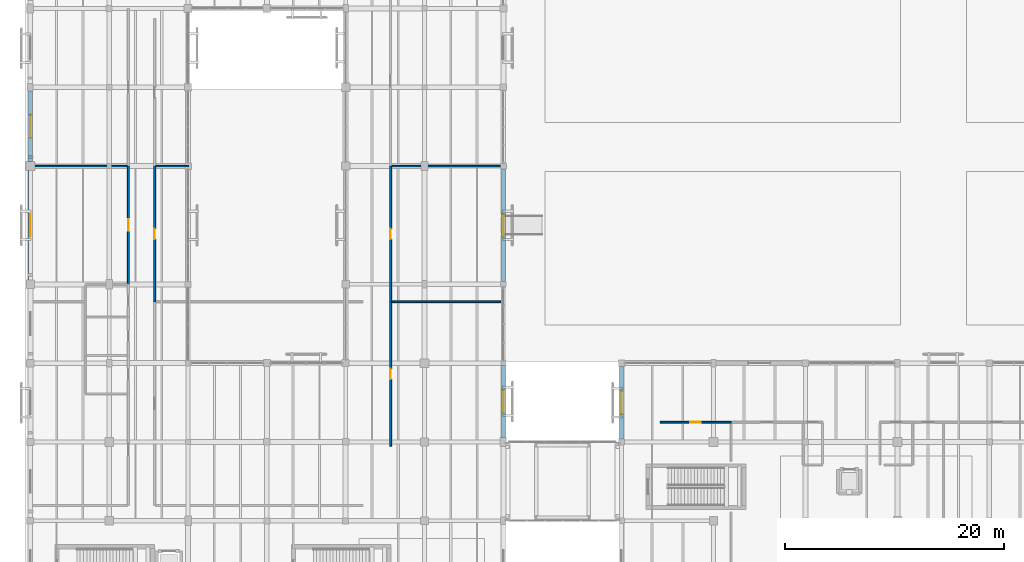
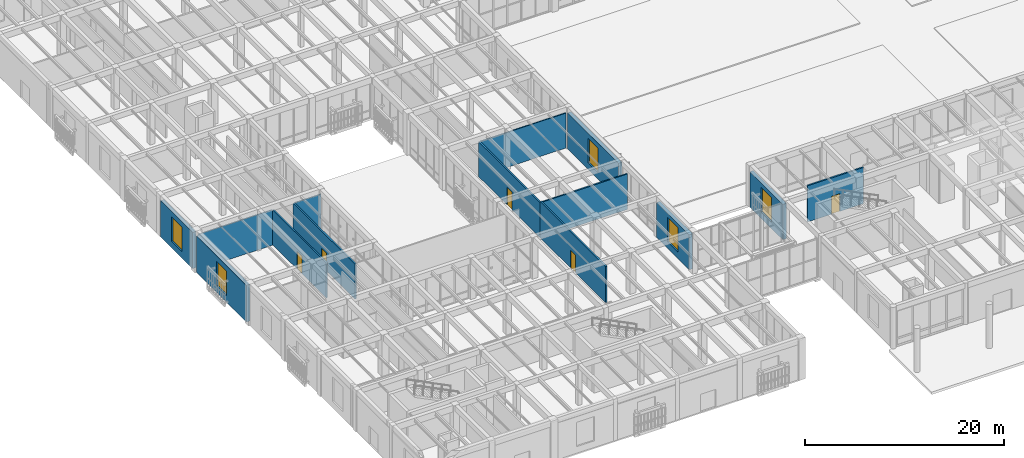
# One storey, part 122 of 169: 14 walls, 5 doors, 5 windows, 10 openings.
"""IFC4 building model written with IfcOpenShell, lengths in metres."""

from ifc_helpers import new_model, si_unit, direction, frame, frame_2d, origin, place, context, subcontext, project, spatial, rectangle, extrude, material, layer, layer_set, type_object, element, fill, save


model = new_model("IFC4")

# Units and contexts
model_context = context("Model", 3, precision=1e-05, world=origin(), true_north=direction((0.0, 1.0)))
body_context = subcontext(model_context, "Body", "Model", "MODEL_VIEW")
ifc_project = project(units=[si_unit("LENGTHUNIT", "METRE"), si_unit("AREAUNIT", "SQUARE_METRE"), si_unit("VOLUMEUNIT", "CUBIC_METRE"), si_unit("PLANEANGLEUNIT", "RADIAN"), si_unit("MASSUNIT", "GRAM", prefix="KILO")], contexts=[model_context])

# Site, building, storey
site_placement = place(None, origin())
site = spatial("IfcSite", under=ifc_project, at=site_placement, CompositionType="ELEMENT")
building_placement = place(site_placement, origin())
building = spatial("IfcBuilding", under=site, at=building_placement, Name="Mazaris Harbour Polytechnic", CompositionType="ELEMENT")
storey_placement = place(building_placement, origin())
storey = spatial("IfcBuildingStorey", under=building, at=storey_placement, Name="L00", CompositionType="ELEMENT", Elevation=0.0)

# Walls
ifc_material_1 = material(Name="Gypsum Board and Mineral Wool")
ifc_layer_1 = layer(ifc_material_1, 0.1201171875, Name="Gypsum Board and Mineral Wool")
ifc_layer_set_1 = layer_set([ifc_layer_1], Name="Gypsum Board and Mineral Wool")
wall_type_1 = type_object("IfcWallType", Name="Acoustic Stud Partition 120", PredefinedType="PARTITIONING", material=ifc_layer_set_1)
wall_1_placement = place(storey_placement, frame((0.25, 54.0, 0.0), z_axis=(0.0, 0.0, 1.0), x_axis=(1.0, 0.0, 0.0)))
element("IfcWall", 1, at=wall_1_placement, inside=storey, type_object=wall_type_1, Name="V4 L00 Partition 294", PredefinedType="PARTITIONING", context=body_context, shape_type="SweptSolid", body=[
    extrude(rectangle(XDim=8.580078125, YDim=0.1201171875, at=frame_2d((4.2900390625, 0.0))), origin(), (0.0, 0.0, 1.0), 4.35009765625),
])
wall_2_placement = place(storey_placement, frame((11.469970703125, 54.0, 0.0), z_axis=(0.0, 0.0, 1.0), x_axis=(1.0, 0.0, 0.0)))
element("IfcWall", 2, at=wall_2_placement, inside=storey, type_object=wall_type_1, Name="V4 L00 Partition 305", PredefinedType="PARTITIONING", context=body_context, shape_type="SweptSolid", body=[
    extrude(rectangle(XDim=3.010009765625, YDim=0.1201171875, at=frame_2d((1.5048828125, 0.0))), origin(), (0.0, 0.0, 1.0), 4.300048828125),
])
wall_3_placement = place(storey_placement, frame((33.02001953125, 54.0, 0.0), z_axis=(0.0, 0.0, 1.0), x_axis=(1.0, 0.0, 0.0)))
element("IfcWall", 3, at=wall_3_placement, inside=storey, type_object=wall_type_1, Name="V4 L00 Partition 315", PredefinedType="PARTITIONING", context=body_context, shape_type="SweptSolid", body=[
    extrude(rectangle(XDim=9.929931640625, YDim=0.1201171875, at=frame_2d((4.96484375, 0.0))), origin(), (0.0, 0.0, 1.0), 4.300048828125),
])

# Wall, opening, door
ifc_material_2 = material(Name="Terracotta Block and Plaster", Category="masonry")
ifc_layer_2 = layer(ifc_material_2, 0.179931640625, Name="Terracotta Block and Plaster")
ifc_layer_set_2 = layer_set([ifc_layer_2], Name="Terracotta Block and Plaster")
wall_type_2 = type_object("IfcWallType", Name="Corridor Fire Partition 180", PredefinedType="PARTITIONING", material=ifc_layer_set_2)
wall_4_placement = place(storey_placement, frame((57.52001953125, 30.60009765625, 0.0), z_axis=(0.0, 0.0, 1.0), x_axis=(1.0, 0.0, 0.0)))
wall_4 = element("IfcWall", 4, at=wall_4_placement, inside=storey, type_object=wall_type_2, Name="V3 L00 Partition 196", PredefinedType="PARTITIONING", context=body_context, shape_type="SweptSolid", body=[
    extrude(rectangle(XDim=6.47998046875, YDim=0.179931640625, at=frame_2d((3.239990234375, 0.0))), origin(), (0.0, 0.0, 1.0), 4.449951171875),
])
opening_1_placement = place(wall_4_placement, frame((2.7451171875, 0.0, 0.0)))
opening_1 = element("IfcOpeningElement", 5, at=opening_1_placement, cuts=wall_4, Name="Opening ID-08R", PredefinedType="OPENING", context=body_context, shape_type="SweptSolid", body=[
    extrude(rectangle(XDim=0.989990234375, YDim=2.179931640625, at=frame_2d((0.4951171875, 1.08984375))), frame((0.0, 0.099853515625, 0.0), z_axis=(0.0, -1.0, 0.0), x_axis=(1.0, 0.0, 0.0)), (0.0, 0.0, 1.0), 0.199951171875),
])
ifc_material_3 = material(Name="Solid Oak Timber", Category="wood")
door_type_1 = type_object("IfcDoorType", Name="Seminar Room Door RH 990x2180", OperationType="SINGLE_SWING_RIGHT", PredefinedType="DOOR", material=ifc_material_3)
door_1_placement = place(opening_1_placement, origin())
door_1 = element("IfcDoor", 6, at=door_1_placement, inside=storey, type_object=door_type_1, Name="ID-0090", OperationType="SINGLE_SWING_RIGHT", OverallHeight=2.179931640625, OverallWidth=0.989990234375, PredefinedType="DOOR", context=body_context, shape_type="SweptSolid", body=[
    extrude(rectangle(XDim=0.989990234375, YDim=2.179931640625, at=frame_2d((0.4951171875, 1.08984375))), frame((0.0, 0.02490234375, 0.0), z_axis=(0.0, -1.0, 0.0), x_axis=(1.0, 0.0, 0.0)), (0.0, 0.0, 1.0), 0.050048828125),
])
fill(opening_1, door_1)

wall_5_placement = place(storey_placement, frame((11.35009765625, 41.60498046875, 0.0), z_axis=(0.0, 0.0, 1.0), x_axis=(0.0, 1.0, 0.0)))
wall_5 = element("IfcWall", 7, at=wall_5_placement, inside=storey, type_object=wall_type_2, Name="V4 L00 Partition 304", PredefinedType="PARTITIONING", context=body_context, shape_type="SweptSolid", body=[
    extrude(rectangle(XDim=12.39501953125, YDim=0.179931640625, at=frame_2d((6.197509765625, 0.0))), origin(), (0.0, 0.0, 1.0), 4.300048828125),
])
opening_2_placement = place(wall_5_placement, frame((5.702392578125, 0.0, 0.0)))
opening_2 = element("IfcOpeningElement", 8, at=opening_2_placement, cuts=wall_5, Name="Opening ID-08R", PredefinedType="OPENING", context=body_context, shape_type="SweptSolid", body=[
    extrude(rectangle(XDim=0.989990234375, YDim=2.179931640625, at=frame_2d((0.4951171875, 1.08984375))), frame((0.0, 0.099853515625, 0.0), z_axis=(0.0, -1.0, 0.0), x_axis=(1.0, 0.0, 0.0)), (0.0, 0.0, 1.0), 0.199951171875),
])
door_2_placement = place(opening_2_placement, origin())
door_2 = element("IfcDoor", 9, at=door_2_placement, inside=storey, type_object=door_type_1, Name="ID-0140", OperationType="SINGLE_SWING_RIGHT", OverallHeight=2.179931640625, OverallWidth=0.989990234375, PredefinedType="DOOR", context=body_context, shape_type="SweptSolid", body=[
    extrude(rectangle(XDim=0.989990234375, YDim=2.179931640625, at=frame_2d((0.4951171875, 1.08984375))), frame((0.0, 0.02490234375, 0.0), z_axis=(0.0, -1.0, 0.0), x_axis=(1.0, 0.0, 0.0)), (0.0, 0.0, 1.0), 0.050048828125),
])
fill(opening_2, door_2)

wall_6_placement = place(storey_placement, frame((32.89990234375, 28.419921875, 0.0), z_axis=(0.0, 0.0, 1.0), x_axis=(0.0, 1.0, 0.0)))
wall_6 = element("IfcWall", 10, at=wall_6_placement, inside=storey, type_object=wall_type_2, Name="V4 L00 Partition 312", PredefinedType="PARTITIONING", context=body_context, shape_type="SweptSolid", body=[
    extrude(rectangle(XDim=13.18017578125, YDim=0.179931640625, at=frame_2d((6.590087890625, 0.0))), origin(), (0.0, 0.0, 1.0), 4.449951171875),
])
opening_3_placement = place(wall_6_placement, frame((6.10009765625, 0.0, 0.0)))
opening_3 = element("IfcOpeningElement", 11, at=opening_3_placement, cuts=wall_6, Name="Opening ID-08L", PredefinedType="OPENING", context=body_context, shape_type="SweptSolid", body=[
    extrude(rectangle(XDim=0.97998046875, YDim=2.179931640625, at=frame_2d((0.489990234375, 1.08984375))), frame((0.0, 0.099853515625, 0.0), z_axis=(0.0, -1.0, 0.0), x_axis=(1.0, 0.0, 0.0)), (0.0, 0.0, 1.0), 0.199951171875),
])
ifc_material_4 = material(Name="Solid Oak Timber", Category="wood")
door_type_2 = type_object("IfcDoorType", Name="Seminar Room Door LH 980x2180", OperationType="SINGLE_SWING_LEFT", PredefinedType="DOOR", material=ifc_material_4)
door_3_placement = place(opening_3_placement, origin())
door_3 = element("IfcDoor", 12, at=door_3_placement, inside=storey, type_object=door_type_2, Name="ID-0145", OperationType="SINGLE_SWING_LEFT", OverallHeight=2.179931640625, OverallWidth=0.97998046875, PredefinedType="DOOR", context=body_context, shape_type="SweptSolid", body=[
    extrude(rectangle(XDim=0.97998046875, YDim=2.179931640625, at=frame_2d((0.489990234375, 1.08984375))), frame((0.0, 0.02490234375, 0.0), z_axis=(0.0, -1.0, 0.0), x_axis=(1.0, 0.0, 0.0)), (0.0, 0.0, 1.0), 0.050048828125),
])
fill(opening_3, door_3)

wall_7_placement = place(storey_placement, frame((32.89990234375, 41.60498046875, 0.0), z_axis=(0.0, 0.0, 1.0), x_axis=(0.0, 1.0, 0.0)))
wall_7 = element("IfcWall", 13, at=wall_7_placement, inside=storey, type_object=wall_type_2, Name="V4 L00 Partition 314", PredefinedType="PARTITIONING", context=body_context, shape_type="SweptSolid", body=[
    extrude(rectangle(XDim=12.39501953125, YDim=0.179931640625, at=frame_2d((6.197509765625, 0.0))), origin(), (0.0, 0.0, 1.0), 4.300048828125),
])
opening_4_placement = place(wall_7_placement, frame((5.702392578125, 0.0, 0.0)))
opening_4 = element("IfcOpeningElement", 14, at=opening_4_placement, cuts=wall_7, Name="Opening ID-08R", PredefinedType="OPENING", context=body_context, shape_type="SweptSolid", body=[
    extrude(rectangle(XDim=0.989990234375, YDim=2.179931640625, at=frame_2d((0.4951171875, 1.08984375))), frame((0.0, 0.099853515625, 0.0), z_axis=(0.0, -1.0, 0.0), x_axis=(1.0, 0.0, 0.0)), (0.0, 0.0, 1.0), 0.199951171875),
])
door_4_placement = place(opening_4_placement, origin())
door_4 = element("IfcDoor", 15, at=door_4_placement, inside=storey, type_object=door_type_1, Name="ID-0146", OperationType="SINGLE_SWING_RIGHT", OverallHeight=2.179931640625, OverallWidth=0.989990234375, PredefinedType="DOOR", context=body_context, shape_type="SweptSolid", body=[
    extrude(rectangle(XDim=0.989990234375, YDim=2.179931640625, at=frame_2d((0.4951171875, 1.08984375))), frame((0.0, 0.02490234375, 0.0), z_axis=(0.0, -1.0, 0.0), x_axis=(1.0, 0.0, 0.0)), (0.0, 0.0, 1.0), 0.050048828125),
])
fill(opening_4, door_4)

ifc_material_5 = material(Name="Fireboard and Mineral Wool")
ifc_layer_3 = layer(ifc_material_5, 0.1650390625, Name="Fireboard and Mineral Wool")
ifc_layer_set_3 = layer_set([ifc_layer_3], Name="Fireboard and Mineral Wool")
wall_type_3 = type_object("IfcWallType", Name="Laboratory Rated Partition 165", PredefinedType="PARTITIONING", material=ifc_layer_set_3)
wall_8_placement = place(storey_placement, frame((8.949951171875, 43.205078125, 0.0), z_axis=(0.0, 0.0, 1.0), x_axis=(0.0, 1.0, 0.0)))
wall_8 = element("IfcWall", 16, at=wall_8_placement, inside=storey, type_object=wall_type_3, Name="V4 L00 Partition 293", PredefinedType="PARTITIONING", context=body_context, shape_type="SweptSolid", body=[
    extrude(rectangle(XDim=10.794921875, YDim=0.1650390625, at=frame_2d((5.3974609375, 0.0))), origin(), (0.0, 0.0, 1.0), 4.300048828125),
])
opening_5_placement = place(wall_8_placement, frame((4.867431640625, 0.0, 0.0)))
opening_5 = element("IfcOpeningElement", 17, at=opening_5_placement, cuts=wall_8, Name="Opening ID-02R", PredefinedType="OPENING", context=body_context, shape_type="SweptSolid", body=[
    extrude(rectangle(XDim=1.06005859375, YDim=2.199951171875, at=frame_2d((0.530029296875, 1.10009765625))), frame((0.0, 0.092529296875, 0.0), z_axis=(0.0, -1.0, 0.0), x_axis=(1.0, 0.0, 0.0)), (0.0, 0.0, 1.0), 0.18505859375),
])
ifc_material_6 = material(Name="Solid Timber and Vision Panel", Category="wood")
door_type_3 = type_object("IfcDoorType", Name="Laboratory Fire Door RH 1060x2200", OperationType="SINGLE_SWING_RIGHT", PredefinedType="DOOR", material=ifc_material_6)
door_5_placement = place(opening_5_placement, origin())
door_5 = element("IfcDoor", 18, at=door_5_placement, inside=storey, type_object=door_type_3, Name="ID-0134", OperationType="SINGLE_SWING_RIGHT", OverallHeight=2.199951171875, OverallWidth=1.06005859375, PredefinedType="DOOR", context=body_context, shape_type="SweptSolid", body=[
    extrude(rectangle(XDim=1.06005859375, YDim=2.199951171875, at=frame_2d((0.530029296875, 1.10009765625))), frame((0.0, 0.02490234375, 0.0), z_axis=(0.0, -1.0, 0.0), x_axis=(1.0, 0.0, 0.0)), (0.0, 0.0, 1.0), 0.050048828125),
])
fill(opening_5, door_5)

# Wall
wall_9_placement = place(storey_placement, frame((33.02001953125, 41.60009765625, 0.0), z_axis=(0.0, 0.0, 1.0), x_axis=(1.0, 0.0, 0.0)))
element("IfcWall", 19, at=wall_9_placement, inside=storey, type_object=wall_type_3, Name="V4 L00 Partition 313", PredefinedType="PARTITIONING", context=body_context, shape_type="SweptSolid", body=[
    extrude(rectangle(XDim=9.929931640625, YDim=0.1650390625, at=frame_2d((4.96484375, 0.0))), origin(), (0.0, 0.0, 1.0), 4.35009765625),
])

# Wall, opening, window
ifc_material_7 = material(Name="Algerian Buff Limestone and Concrete C35/45", Category="masonry")
ifc_layer_4 = layer(ifc_material_7, 0.409912109375, Name="Algerian Buff Limestone and Concrete C35/45")
ifc_layer_set_4 = layer_set([ifc_layer_4], Name="Algerian Buff Limestone and Concrete C35/45")
wall_type_4 = type_object("IfcWallType", Name="Limestone Rusticated Base Wall 410", PredefinedType="STANDARD", material=ifc_layer_set_4)
wall_10_placement = place(storey_placement, frame((54.0, 29.06689453125, 0.0), z_axis=(0.0, 0.0, 1.0), x_axis=(0.0, 1.0, 0.0)))
wall_10 = element("IfcWall", 20, at=wall_10_placement, inside=storey, type_object=wall_type_4, Name="V3 L00 Exterior Wall 104", PredefinedType="STANDARD", context=body_context, shape_type="SweptSolid", body=[
    extrude(rectangle(XDim=6.64111328125, YDim=0.409912109375, at=frame_2d((3.320556640625, 0.0))), origin(), (0.0, 0.0, 1.0), 4.35009765625),
])
opening_6_placement = place(wall_10_placement, frame((2.2705078125, 0.0, 0.800048828125)))
opening_6 = element("IfcOpeningElement", 21, at=opening_6_placement, cuts=wall_10, Name="Opening WN-05", PredefinedType="OPENING", context=body_context, shape_type="SweptSolid", body=[
    extrude(rectangle(XDim=2.10009765625, YDim=3.0, at=frame_2d((1.050048828125, 1.5))), frame((0.0, 0.21484375, 0.0), z_axis=(0.0, -1.0, 0.0), x_axis=(1.0, 0.0, 0.0)), (0.0, 0.0, 1.0), 0.429931640625),
])
ifc_material_8 = material(Name="Thermally Broken Bronze Aluminium and Low-E Glass", Category="aluminium")
window_type = type_object("IfcWindowType", Name="Podium Arch-Head Window 2100x3000", PartitioningType="DOUBLE_PANEL_VERTICAL", PredefinedType="WINDOW", material=ifc_material_8)
window_1_placement = place(opening_6_placement, origin())
window_1 = element("IfcWindow", 22, at=window_1_placement, inside=storey, type_object=window_type, Name="WN-0112", OverallHeight=3.0, OverallWidth=2.10009765625, PartitioningType="DOUBLE_PANEL_VERTICAL", PredefinedType="WINDOW", context=body_context, shape_type="SweptSolid", body=[
    extrude(rectangle(XDim=2.10009765625, YDim=3.0, at=frame_2d((1.050048828125, 1.5))), frame((0.0, 0.030029296875, 0.0), z_axis=(0.0, -1.0, 0.0), x_axis=(1.0, 0.0, 0.0)), (0.0, 0.0, 1.0), 0.06005859375),
])
fill(opening_6, window_1)

wall_11_placement = place(storey_placement, frame((0.0, 43.56689453125, 0.0), z_axis=(0.0, 0.0, 1.0), x_axis=(0.0, 1.0, 0.0)))
wall_11 = element("IfcWall", 23, at=wall_11_placement, inside=storey, type_object=wall_type_4, Name="V4 L00 Exterior Wall 145", PredefinedType="STANDARD", context=body_context, shape_type="SweptSolid", body=[
    extrude(rectangle(XDim=10.041015625, YDim=0.409912109375, at=frame_2d((5.0205078125, 0.0))), origin(), (0.0, 0.0, 1.0), 4.5),
])
opening_7_placement = place(wall_11_placement, frame((3.970458984375, 0.0, 0.800048828125)))
opening_7 = element("IfcOpeningElement", 24, at=opening_7_placement, cuts=wall_11, Name="Opening WN-05", PredefinedType="OPENING", context=body_context, shape_type="SweptSolid", body=[
    extrude(rectangle(XDim=2.10009765625, YDim=3.0, at=frame_2d((1.050048828125, 1.5))), frame((0.0, 0.21484375, 0.0), z_axis=(0.0, -1.0, 0.0), x_axis=(1.0, 0.0, 0.0)), (0.0, 0.0, 1.0), 0.429931640625),
])
window_2_placement = place(opening_7_placement, origin())
window_2 = element("IfcWindow", 25, at=window_2_placement, inside=storey, type_object=window_type, Name="WN-0150", OverallHeight=3.0, OverallWidth=2.10009765625, PartitioningType="DOUBLE_PANEL_VERTICAL", PredefinedType="WINDOW", context=body_context, shape_type="SweptSolid", body=[
    extrude(rectangle(XDim=2.10009765625, YDim=3.0, at=frame_2d((1.050048828125, 1.5))), frame((0.0, 0.030029296875, 0.0), z_axis=(0.0, -1.0, 0.0), x_axis=(1.0, 0.0, 0.0)), (0.0, 0.0, 1.0), 0.06005859375),
])
fill(opening_7, window_2)

wall_12_placement = place(storey_placement, frame((0.0, 54.39208984375, 0.0), z_axis=(0.0, 0.0, 1.0), x_axis=(0.0, 1.0, 0.0)))
wall_12 = element("IfcWall", 26, at=wall_12_placement, inside=storey, type_object=wall_type_4, Name="V4 L00 Exterior Wall 146", PredefinedType="STANDARD", context=body_context, shape_type="SweptSolid", body=[
    extrude(rectangle(XDim=6.4658203125, YDim=0.409912109375, at=frame_2d((3.23291015625, 0.0))), origin(), (0.0, 0.0, 1.0), 4.449951171875),
])
opening_8_placement = place(wall_12_placement, frame((2.18310546875, 0.0, 0.800048828125)))
opening_8 = element("IfcOpeningElement", 27, at=opening_8_placement, cuts=wall_12, Name="Opening WN-05", PredefinedType="OPENING", context=body_context, shape_type="SweptSolid", body=[
    extrude(rectangle(XDim=2.10009765625, YDim=3.0, at=frame_2d((1.050048828125, 1.5))), frame((0.0, 0.21484375, 0.0), z_axis=(0.0, -1.0, 0.0), x_axis=(1.0, 0.0, 0.0)), (0.0, 0.0, 1.0), 0.429931640625),
])
window_3_placement = place(opening_8_placement, origin())
window_3 = element("IfcWindow", 28, at=window_3_placement, inside=storey, type_object=window_type, Name="WN-0151", OverallHeight=3.0, OverallWidth=2.10009765625, PartitioningType="DOUBLE_PANEL_VERTICAL", PredefinedType="WINDOW", context=body_context, shape_type="SweptSolid", body=[
    extrude(rectangle(XDim=2.10009765625, YDim=3.0, at=frame_2d((1.050048828125, 1.5))), frame((0.0, 0.030029296875, 0.0), z_axis=(0.0, -1.0, 0.0), x_axis=(1.0, 0.0, 0.0)), (0.0, 0.0, 1.0), 0.06005859375),
])
fill(opening_8, window_3)

wall_13_placement = place(storey_placement, frame((43.199951171875, 35.782958984375, 0.0), z_axis=(0.0, 0.0, 1.0), x_axis=(0.0, -1.0, 0.0)))
wall_13 = element("IfcWall", 29, at=wall_13_placement, inside=storey, type_object=wall_type_4, Name="V4 L00 Exterior Wall 153", PredefinedType="STANDARD", context=body_context, shape_type="SweptSolid", body=[
    extrude(rectangle(XDim=6.56591796875, YDim=0.409912109375, at=frame_2d((3.282958984375, 0.0))), origin(), (0.0, 0.0, 1.0), 4.300048828125),
])
opening_9_placement = place(wall_13_placement, frame((2.23291015625, 0.0, 0.800048828125)))
opening_9 = element("IfcOpeningElement", 30, at=opening_9_placement, cuts=wall_13, Name="Opening WN-05", PredefinedType="OPENING", context=body_context, shape_type="SweptSolid", body=[
    extrude(rectangle(XDim=2.10009765625, YDim=3.0, at=frame_2d((1.050048828125, 1.5))), frame((0.0, 0.21484375, 0.0), z_axis=(0.0, -1.0, 0.0), x_axis=(1.0, 0.0, 0.0)), (0.0, 0.0, 1.0), 0.429931640625),
])
window_4_placement = place(opening_9_placement, origin())
window_4 = element("IfcWindow", 31, at=window_4_placement, inside=storey, type_object=window_type, Name="WN-0156", OverallHeight=3.0, OverallWidth=2.10009765625, PartitioningType="DOUBLE_PANEL_VERTICAL", PredefinedType="WINDOW", context=body_context, shape_type="SweptSolid", body=[
    extrude(rectangle(XDim=2.10009765625, YDim=3.0, at=frame_2d((1.050048828125, 1.5))), frame((0.0, 0.030029296875, 0.0), z_axis=(0.0, -1.0, 0.0), x_axis=(1.0, 0.0, 0.0)), (0.0, 0.0, 1.0), 0.06005859375),
])
fill(opening_9, window_4)

wall_14_placement = place(storey_placement, frame((43.199951171875, 53.73291015625, 0.0), z_axis=(0.0, 0.0, 1.0), x_axis=(0.0, -1.0, 0.0)))
wall_14 = element("IfcWall", 32, at=wall_14_placement, inside=storey, type_object=wall_type_4, Name="V4 L00 Exterior Wall 154", PredefinedType="STANDARD", context=body_context, shape_type="SweptSolid", body=[
    extrude(rectangle(XDim=10.291015625, YDim=0.409912109375, at=frame_2d((5.1455078125, 0.0))), origin(), (0.0, 0.0, 1.0), 4.449951171875),
])
opening_10_placement = place(wall_14_placement, frame((4.095458984375, 0.0, 0.800048828125)))
opening_10 = element("IfcOpeningElement", 33, at=opening_10_placement, cuts=wall_14, Name="Opening WN-05", PredefinedType="OPENING", context=body_context, shape_type="SweptSolid", body=[
    extrude(rectangle(XDim=2.10009765625, YDim=3.0, at=frame_2d((1.050048828125, 1.5))), frame((0.0, 0.21484375, 0.0), z_axis=(0.0, -1.0, 0.0), x_axis=(1.0, 0.0, 0.0)), (0.0, 0.0, 1.0), 0.429931640625),
])
window_5_placement = place(opening_10_placement, origin())
window_5 = element("IfcWindow", 34, at=window_5_placement, inside=storey, type_object=window_type, Name="WN-0157", OverallHeight=3.0, OverallWidth=2.10009765625, PartitioningType="DOUBLE_PANEL_VERTICAL", PredefinedType="WINDOW", context=body_context, shape_type="SweptSolid", body=[
    extrude(rectangle(XDim=2.10009765625, YDim=3.0, at=frame_2d((1.050048828125, 1.5))), frame((0.0, 0.030029296875, 0.0), z_axis=(0.0, -1.0, 0.0), x_axis=(1.0, 0.0, 0.0)), (0.0, 0.0, 1.0), 0.06005859375),
])
fill(opening_10, window_5)

save(model, "model.ifc")
